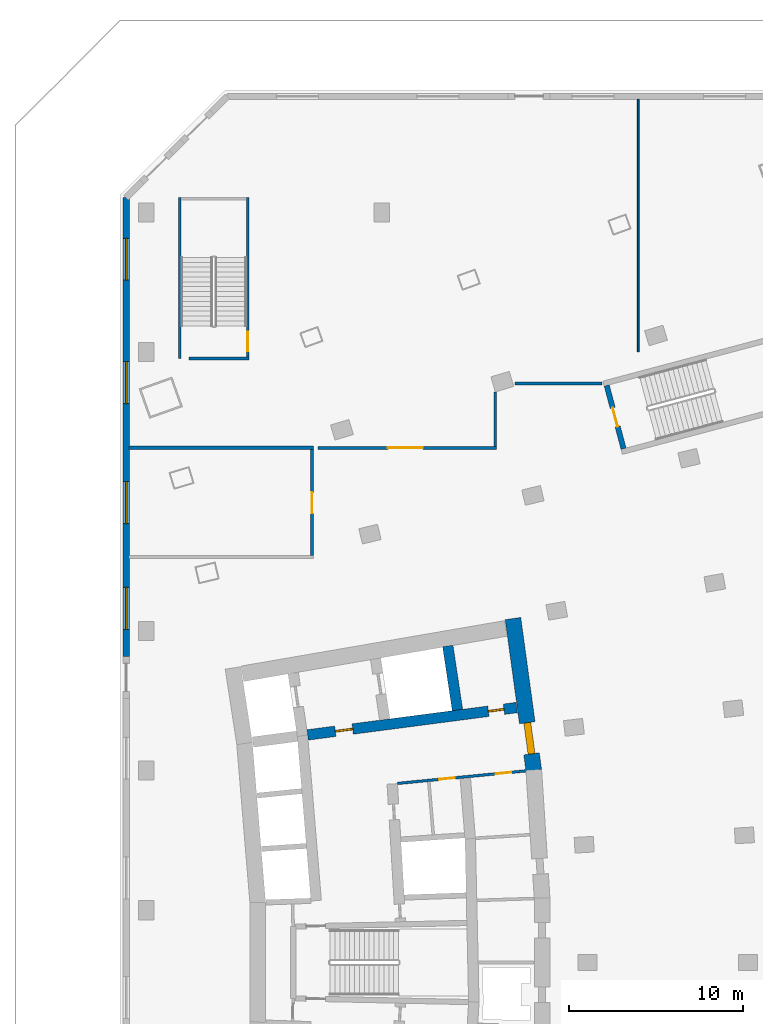
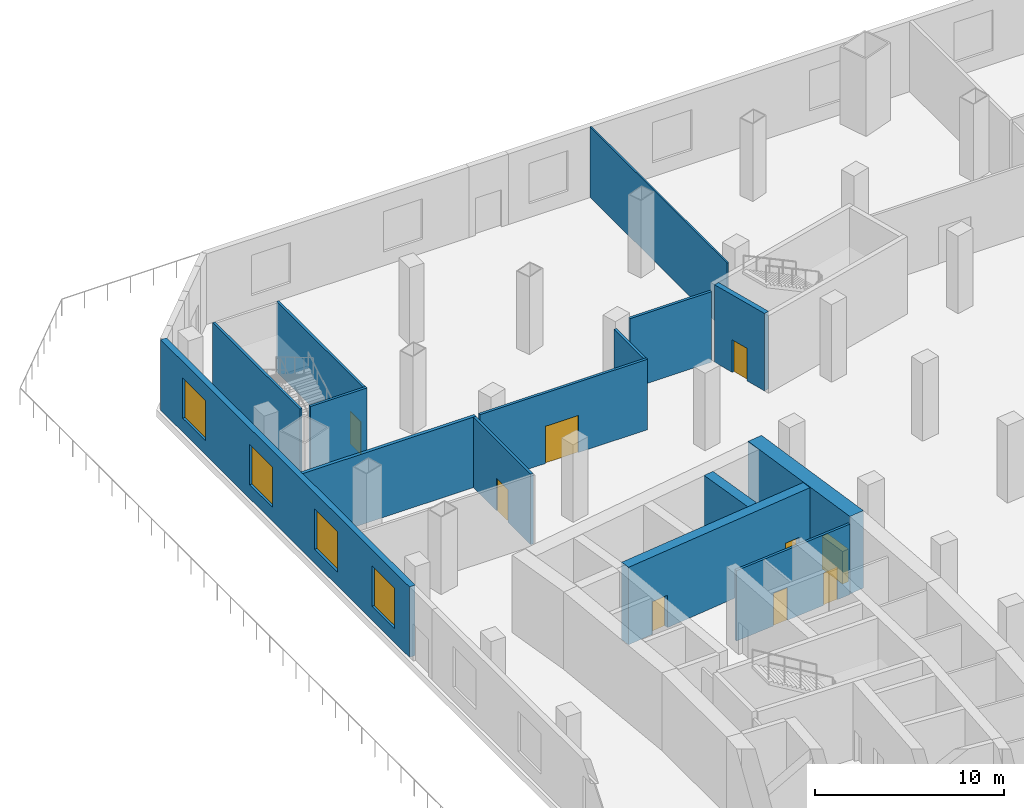
# One storey, part 7 of 15: 15 walls, 9 doors, 4 windows, 13 openings.
"""IFC4 building model written with IfcOpenShell, lengths in metres."""

from ifc_helpers import new_model, si_unit, direction, frame, frame_2d, origin, place, context, subcontext, project, spatial, rectangle, extrude, material, layer, layer_set, type_object, element, fill, save


model = new_model("IFC4")

# Units and contexts
model_context = context("Model", 3, precision=1e-05, world=origin(), true_north=direction((0.0, 1.0)))
body_context = subcontext(model_context, "Body", "Model", "MODEL_VIEW")
ifc_project = project(units=[si_unit("LENGTHUNIT", "METRE"), si_unit("AREAUNIT", "SQUARE_METRE"), si_unit("VOLUMEUNIT", "CUBIC_METRE"), si_unit("PLANEANGLEUNIT", "RADIAN"), si_unit("MASSUNIT", "GRAM", prefix="KILO")], contexts=[model_context])

# Site, building, storey
site_placement = place(None, origin())
site = spatial("IfcSite", under=ifc_project, at=site_placement, CompositionType="ELEMENT")
building_placement = place(site_placement, origin())
building = spatial("IfcBuilding", under=site, at=building_placement, Name="Alderwake Tower", CompositionType="ELEMENT")
storey_placement = place(building_placement, frame((0.0, 0.0, 13.5)))
storey = spatial("IfcBuildingStorey", under=building, at=storey_placement, Name="L02", CompositionType="ELEMENT", Elevation=13.5)

# Wall, openings, doors
ifc_material_1 = material(Name="Gypsum shaft wall system, rated")
ifc_layer_1 = layer(ifc_material_1, 0.14990234375)
ifc_layer_set_1 = layer_set([ifc_layer_1], Name="Core room partition 150")
wall_type_1 = type_object("IfcWallType", Name="Core room partition 150", PredefinedType="PARTITIONING", material=ifc_layer_set_1)
wall_1_placement = place(storey_placement, frame((32.233642578125, 71.982177734375, 0.0), z_axis=(0.0, 0.0, 1.0), x_axis=(-0.995245540971, -0.097397706226, 0.0)))
wall_1 = element("IfcWall", 1, at=wall_1_placement, inside=storey, type_object=wall_type_1, Name="CW/L02/PR+102_+86", PredefinedType="PARTITIONING", context=body_context, shape_type="SweptSolid", body=[
    extrude(rectangle(XDim=7.36962890625, YDim=0.14990234375, at=frame_2d((3.684814453125, 0.0))), origin(), (0.0, 0.0, 1.0), 4.550048828125),
])
opening_1_placement = place(wall_1_placement, frame((4.069580078125, 0.0, 0.0)))
opening_1 = element("IfcOpeningElement", 2, at=opening_1_placement, cuts=wall_1, Name="Opening C022", PredefinedType="OPENING", context=body_context, shape_type="SweptSolid", body=[
    extrude(rectangle(XDim=0.89990234375, YDim=2.10009765625, at=frame_2d((0.449951171875, 1.050048828125))), frame((0.0, 0.0849609375, 0.0), z_axis=(0.0, -1.0, 0.0), x_axis=(1.0, 0.0, 0.0)), (0.0, 0.0, 1.0), 0.169921875),
])
opening_2_placement = place(wall_1_placement, frame((0.819580078125, 0.0, 0.0)))
opening_2 = element("IfcOpeningElement", 3, at=opening_2_placement, cuts=wall_1, Name="Opening C036", PredefinedType="OPENING", context=body_context, shape_type="SweptSolid", body=[
    extrude(rectangle(XDim=0.89990234375, YDim=2.10009765625, at=frame_2d((0.449951171875, 1.050048828125))), frame((0.0, 0.0849609375, 0.0), z_axis=(0.0, -1.0, 0.0), x_axis=(1.0, 0.0, 0.0)), (0.0, 0.0, 1.0), 0.169921875),
])
ifc_material_2 = material(Name="Painted steel leaf", Category="steel")
door_type_1 = type_object("IfcDoorType", Name="Core room door 900", OperationType="SINGLE_SWING_LEFT", PredefinedType="DOOR", material=ifc_material_2)
door_1_placement = place(opening_1_placement, origin())
door_1 = element("IfcDoor", 4, at=door_1_placement, inside=storey, type_object=door_type_1, Name="Room door", OperationType="SINGLE_SWING_RIGHT", OverallHeight=2.10009765625, OverallWidth=0.89990234375, PredefinedType="DOOR", context=body_context, shape_type="SweptSolid", body=[
    extrude(rectangle(XDim=0.89990234375, YDim=2.10009765625, at=frame_2d((0.449951171875, 1.050048828125))), frame((0.0, 0.02490234375, 0.0), z_axis=(0.0, -1.0, 0.0), x_axis=(1.0, 0.0, 0.0)), (0.0, 0.0, 1.0), 0.050048828125),
])
fill(opening_1, door_1)
door_2_placement = place(opening_2_placement, origin())
door_2 = element("IfcDoor", 5, at=door_2_placement, inside=storey, type_object=door_type_1, Name="Room door", OperationType="SINGLE_SWING_LEFT", OverallHeight=2.10009765625, OverallWidth=0.89990234375, PredefinedType="DOOR", context=body_context, shape_type="SweptSolid", body=[
    extrude(rectangle(XDim=0.89990234375, YDim=2.10009765625, at=frame_2d((0.449951171875, 1.050048828125))), frame((0.0, 0.02490234375, 0.0), z_axis=(0.0, -1.0, 0.0), x_axis=(1.0, 0.0, 0.0)), (0.0, 0.0, 1.0), 0.050048828125),
])
fill(opening_2, door_2)

# Wall, opening, door
ifc_material_3 = material(Name="Concrete C70/85", Category="concrete")
ifc_layer_2 = layer(ifc_material_3, 0.89990234375)
ifc_layer_set_2 = layer_set([ifc_layer_2], Name="Core wall outer 900 C70-85")
wall_type_2 = type_object("IfcWallType", Name="Core wall outer 900 C70-85", PredefinedType="SHEAR", material=ifc_layer_set_2)
wall_2_placement = place(storey_placement, frame((31.520263671875, 80.7177734375, 0.0), z_axis=(0.0, 0.0, 1.0), x_axis=(0.135844728876, -0.990730139663, 0.0)))
wall_2 = element("IfcWall", 6, at=wall_2_placement, inside=storey, type_object=wall_type_2, Name="Core wall CW.009", PredefinedType="SHEAR", context=body_context, shape_type="SweptSolid", body=[
    extrude(rectangle(XDim=8.78662109375, YDim=0.89990234375, at=frame_2d((4.393310546875, 0.0))), origin(), (0.0, 0.0, 1.0), 5.0),
])
opening_3_placement = place(wall_2_placement, frame((6.02978515625, 0.0, 0.0)))
opening_3 = element("IfcOpeningElement", 7, at=opening_3_placement, cuts=wall_2, Name="Opening C001", PredefinedType="OPENING", context=body_context, shape_type="SweptSolid", body=[
    extrude(rectangle(XDim=1.800048828125, YDim=2.10009765625, at=frame_2d((0.89990234375, 1.050048828125))), frame((0.0, 0.4599609375, 0.0), z_axis=(0.0, -1.0, 0.0), x_axis=(1.0, 0.0, 0.0)), (0.0, 0.0, 1.0), 0.919921875),
])
ifc_material_4 = material(Name="Steel-framed fire door leaves", Category="steel")
door_type_2 = type_object("IfcDoorType", Name="Core double door 1800 fire-rated", OperationType="DOUBLE_DOOR_SINGLE_SWING", PredefinedType="DOOR", material=ifc_material_4)
door_3_placement = place(opening_3_placement, origin())
door_3 = element("IfcDoor", 8, at=door_3_placement, inside=storey, type_object=door_type_2, Name="Lobby double door", OperationType="DOUBLE_DOOR_SINGLE_SWING", OverallHeight=2.10009765625, OverallWidth=1.800048828125, PredefinedType="DOOR", context=body_context, shape_type="SweptSolid", body=[
    extrude(rectangle(XDim=1.800048828125, YDim=2.10009765625, at=frame_2d((0.89990234375, 1.050048828125))), frame((0.0, 0.199951171875, 0.0), z_axis=(0.0, -1.0, 0.0), x_axis=(1.0, 0.0, 0.0)), (0.0, 0.0, 1.0), 0.39990234375),
])
fill(opening_3, door_3)

# Wall
ifc_material_5 = material(Name="Concrete C70/85", Category="concrete")
ifc_layer_3 = layer(ifc_material_5, 0.60009765625)
ifc_layer_set_3 = layer_set([ifc_layer_3], Name="Core wall spine 600 C70-85")
wall_type_3 = type_object("IfcWallType", Name="Core wall spine 600 C70-85", PredefinedType="SHEAR", material=ifc_layer_set_3)
wall_3_placement = place(storey_placement, frame((28.337646484375, 75.472412109375, 0.0), z_axis=(0.0, 0.0, 1.0), x_axis=(-0.149224787751, 0.988803298296, 0.0)))
element("IfcWall", 9, at=wall_3_placement, inside=storey, type_object=wall_type_3, Name="Core wall CW.001", PredefinedType="SHEAR", context=body_context, shape_type="SweptSolid", body=[
    extrude(rectangle(XDim=3.712158203125, YDim=0.60009765625, at=frame_2d((1.85595703125, 0.0))), origin(), (0.0, 0.0, 1.0), 5.0),
])

# Wall, openings, doors
wall_4_placement = place(storey_placement, frame((31.735595703125, 75.6142578125, 0.0), z_axis=(0.0, 0.0, 1.0), x_axis=(-0.991553829991, -0.129695806526, 0.0)))
wall_4 = element("IfcWall", 10, at=wall_4_placement, inside=storey, type_object=wall_type_3, Name="Core wall CW.052", PredefinedType="SHEAR", context=body_context, shape_type="SweptSolid", body=[
    extrude(rectangle(XDim=12.0869140625, YDim=0.60009765625, at=frame_2d((6.04345703125, 0.0))), origin(), (0.0, 0.0, 1.0), 5.0),
])
opening_4_placement = place(wall_4_placement, frame((9.4873046875, 0.0, 0.0)))
opening_4 = element("IfcOpeningElement", 11, at=opening_4_placement, cuts=wall_4, Name="Opening C002", PredefinedType="OPENING", context=body_context, shape_type="SweptSolid", body=[
    extrude(rectangle(XDim=1.0, YDim=2.10009765625, at=frame_2d((0.5, 1.050048828125))), frame((0.0, 0.31005859375, 0.0), z_axis=(0.0, -1.0, 0.0), x_axis=(1.0, 0.0, 0.0)), (0.0, 0.0, 1.0), 0.6201171875),
])
opening_5_placement = place(wall_4_placement, frame((0.7373046875, 0.0, 0.0)))
opening_5 = element("IfcOpeningElement", 12, at=opening_5_placement, cuts=wall_4, Name="Opening C020", PredefinedType="OPENING", context=body_context, shape_type="SweptSolid", body=[
    extrude(rectangle(XDim=0.89990234375, YDim=2.10009765625, at=frame_2d((0.449951171875, 1.050048828125))), frame((0.0, 0.31005859375, 0.0), z_axis=(0.0, -1.0, 0.0), x_axis=(1.0, 0.0, 0.0)), (0.0, 0.0, 1.0), 0.6201171875),
])
door_4_placement = place(opening_5_placement, origin())
door_4 = element("IfcDoor", 13, at=door_4_placement, inside=storey, type_object=door_type_1, Name="Room door", OperationType="SINGLE_SWING_LEFT", OverallHeight=2.10009765625, OverallWidth=0.89990234375, PredefinedType="DOOR", context=body_context, shape_type="SweptSolid", body=[
    extrude(rectangle(XDim=0.89990234375, YDim=2.10009765625, at=frame_2d((0.449951171875, 1.050048828125))), frame((0.0, 0.050048828125, 0.0), z_axis=(0.0, -1.0, 0.0), x_axis=(1.0, 0.0, 0.0)), (0.0, 0.0, 1.0), 0.10009765625),
])
fill(opening_5, door_4)
ifc_material_6 = material(Name="Steel-framed fire door leaf", Category="steel")
door_type_3 = type_object("IfcDoorType", Name="Firefighting lobby door 1000 fire-rated", OperationType="SINGLE_SWING_LEFT", PredefinedType="DOOR", material=ifc_material_6)
door_5_placement = place(opening_4_placement, origin())
door_5 = element("IfcDoor", 14, at=door_5_placement, inside=storey, type_object=door_type_3, Name="Firefighting lobby door", OperationType="SINGLE_SWING_RIGHT", OverallHeight=2.10009765625, OverallWidth=1.0, PredefinedType="DOOR", context=body_context, shape_type="SweptSolid", body=[
    extrude(rectangle(XDim=1.0, YDim=2.10009765625, at=frame_2d((0.5, 1.050048828125))), frame((0.0, 0.050048828125, 0.0), z_axis=(0.0, -1.0, 0.0), x_axis=(1.0, 0.0, 0.0)), (0.0, 0.0, 1.0), 0.10009765625),
])
fill(opening_4, door_5)

# Wall, opening, door
ifc_material_7 = material(Name="Concrete C70/85", Category="concrete")
ifc_layer_4 = layer(ifc_material_7, 0.300048828125)
ifc_layer_set_4 = layer_set([ifc_layer_4], Name="Core wall stair enclosure 300 C70-85")
wall_type_4 = type_object("IfcWallType", Name="Core wall stair enclosure 300 C70-85", PredefinedType="SHEAR", material=ifc_layer_set_4)
wall_5_placement = place(storey_placement, frame((37.8603515625, 90.452392578125, 0.0), z_axis=(0.0, 0.0, 1.0), x_axis=(-0.257411420208, 0.966301899381, 0.0)))
wall_5 = element("IfcWall", 15, at=wall_5_placement, inside=storey, type_object=wall_type_4, Name="Core wall CW.083", PredefinedType="SHEAR", context=body_context, shape_type="SweptSolid", body=[
    extrude(rectangle(XDim=3.750244140625, YDim=0.300048828125, at=frame_2d((1.875, 0.0))), origin(), (0.0, 0.0, 1.0), 5.0),
])
opening_6_placement = place(wall_5_placement, frame((1.324951171875, 0.0, 0.0)))
opening_6 = element("IfcOpeningElement", 16, at=opening_6_placement, cuts=wall_5, Name="Opening C062", PredefinedType="OPENING", context=body_context, shape_type="SweptSolid", body=[
    extrude(rectangle(XDim=1.10009765625, YDim=2.10009765625, at=frame_2d((0.550048828125, 1.050048828125))), frame((0.0, 0.159912109375, 0.0), z_axis=(0.0, -1.0, 0.0), x_axis=(1.0, 0.0, 0.0)), (0.0, 0.0, 1.0), 0.320068359375),
])
ifc_material_8 = material(Name="Steel-framed fire door leaf", Category="steel")
door_type_4 = type_object("IfcDoorType", Name="Core stair door 1100 fire-rated", OperationType="SINGLE_SWING_LEFT", PredefinedType="DOOR", material=ifc_material_8)
door_6_placement = place(opening_6_placement, origin())
door_6 = element("IfcDoor", 17, at=door_6_placement, inside=storey, type_object=door_type_4, Name="Stair door", OperationType="SINGLE_SWING_RIGHT", OverallHeight=2.10009765625, OverallWidth=1.10009765625, PredefinedType="DOOR", context=body_context, shape_type="SweptSolid", body=[
    extrude(rectangle(XDim=1.10009765625, YDim=2.10009765625, at=frame_2d((0.550048828125, 1.050048828125))), frame((0.0, 0.02490234375, 0.0), z_axis=(0.0, -1.0, 0.0), x_axis=(1.0, 0.0, 0.0)), (0.0, 0.0, 1.0), 0.050048828125),
])
fill(opening_6, door_6)

ifc_material_9 = material(Name="Gypsum board on metal studs, rated")
ifc_layer_5 = layer(ifc_material_9, 0.159912109375)
ifc_layer_set_5 = layer_set([ifc_layer_5], Name="Corridor wall 160")
wall_type_5 = type_object("IfcWallType", Name="Corridor wall 160", PredefinedType="PARTITIONING", material=ifc_layer_set_5)
wall_6_placement = place(storey_placement, frame((20.0009765625, 90.40087890625, 0.0), z_axis=(0.0, 0.0, 1.0), x_axis=(0.0, -1.0, 0.0)))
wall_6 = element("IfcWall", 18, at=wall_6_placement, inside=storey, type_object=wall_type_5, Name="WL/L02/W25", PredefinedType="PARTITIONING", context=body_context, shape_type="SweptSolid", body=[
    extrude(rectangle(XDim=6.07177734375, YDim=0.159912109375, at=frame_2d((3.035888671875, 0.0))), origin(), (0.0, 0.0, 1.0), 4.550048828125),
])
opening_7_placement = place(wall_6_placement, frame((2.450927734375, 0.0, 0.0)))
opening_7 = element("IfcOpeningElement", 19, at=opening_7_placement, cuts=wall_6, Name="Opening L02-15", PredefinedType="OPENING", context=body_context, shape_type="SweptSolid", body=[
    extrude(rectangle(XDim=1.199951171875, YDim=2.10009765625, at=frame_2d((0.60009765625, 1.050048828125))), frame((0.0, 0.08984375, 0.0), z_axis=(0.0, -1.0, 0.0), x_axis=(1.0, 0.0, 0.0)), (0.0, 0.0, 1.0), 0.179931640625),
])
ifc_material_10 = material(Name="Steel door leaf in steel frame", Category="steel")
door_type_5 = type_object("IfcDoorType", Name="Plant room door 1200 steel", OperationType="SINGLE_SWING_LEFT", PredefinedType="DOOR", material=ifc_material_10)
door_7_placement = place(opening_7_placement, origin())
door_7 = element("IfcDoor", 20, at=door_7_placement, inside=storey, type_object=door_type_5, Name="DR/L02/15", OperationType="SINGLE_SWING_LEFT", OverallHeight=2.10009765625, OverallWidth=1.199951171875, PredefinedType="DOOR", context=body_context, shape_type="SweptSolid", body=[
    extrude(rectangle(XDim=1.199951171875, YDim=2.10009765625, at=frame_2d((0.60009765625, 1.050048828125))), frame((0.0, 0.02490234375, 0.0), z_axis=(0.0, -1.0, 0.0), x_axis=(1.0, 0.0, 0.0)), (0.0, 0.0, 1.0), 0.050048828125),
])
fill(opening_7, door_7)

wall_7_placement = place(storey_placement, frame((30.5810546875, 90.5009765625, 0.0), z_axis=(0.0, 0.0, 1.0), x_axis=(-1.0, 0.0, 0.0)))
wall_7 = element("IfcWall", 21, at=wall_7_placement, inside=storey, type_object=wall_type_5, Name="WL/L02/W33", PredefinedType="PARTITIONING", context=body_context, shape_type="SweptSolid", body=[
    extrude(rectangle(XDim=10.246826171875, YDim=0.159912109375, at=frame_2d((5.12353515625, 0.0))), origin(), (0.0, 0.0, 1.0), 4.550048828125),
])
opening_8_placement = place(wall_7_placement, frame((4.23095703125, 0.0, 0.0)))
opening_8 = element("IfcOpeningElement", 22, at=opening_8_placement, cuts=wall_7, Name="Opening L02-08", PredefinedType="OPENING", context=body_context, shape_type="SweptSolid", body=[
    extrude(rectangle(XDim=2.0, YDim=2.39990234375, at=frame_2d((1.0, 1.199951171875))), frame((0.0, 0.08984375, 0.0), z_axis=(0.0, -1.0, 0.0), x_axis=(1.0, 0.0, 0.0)), (0.0, 0.0, 1.0), 0.179931640625),
])
ifc_material_11 = material(Name="Timber leaves with glazed panels", Category="wood")
door_type_6 = type_object("IfcDoorType", Name="Hall double door 2000", OperationType="DOUBLE_DOOR_SINGLE_SWING", PredefinedType="DOOR", material=ifc_material_11)
door_8_placement = place(opening_8_placement, origin())
door_8 = element("IfcDoor", 23, at=door_8_placement, inside=storey, type_object=door_type_6, Name="DR/L02/08", OperationType="DOUBLE_DOOR_SINGLE_SWING", OverallHeight=2.39990234375, OverallWidth=2.0, PredefinedType="DOOR", context=body_context, shape_type="SweptSolid", body=[
    extrude(rectangle(XDim=2.0, YDim=2.39990234375, at=frame_2d((1.0, 1.199951171875))), frame((0.0, 0.02490234375, 0.0), z_axis=(0.0, -1.0, 0.0), x_axis=(1.0, 0.0, 0.0)), (0.0, 0.0, 1.0), 0.050048828125),
])
fill(opening_8, door_8)

# Walls
wall_8_placement = place(storey_placement, frame((30.5009765625, 93.707275390625, 0.0), z_axis=(0.0, 0.0, 1.0), x_axis=(0.0, -1.0, 0.0)))
element("IfcWall", 24, at=wall_8_placement, inside=storey, type_object=wall_type_5, Name="WL/L02/W34", PredefinedType="PARTITIONING", context=body_context, shape_type="SweptSolid", body=[
    extrude(rectangle(XDim=3.126220703125, YDim=0.159912109375, at=frame_2d((1.56298828125, 0.0))), origin(), (0.0, 0.0, 1.0), 4.550048828125),
])
wall_9_placement = place(storey_placement, frame((36.624755859375, 94.199951171875, 0.0), z_axis=(0.0, 0.0, 1.0), x_axis=(-1.0, 0.0, 0.0)))
element("IfcWall", 25, at=wall_9_placement, inside=storey, type_object=wall_type_5, Name="WL/L02/W36", PredefinedType="PARTITIONING", context=body_context, shape_type="SweptSolid", body=[
    extrude(rectangle(XDim=4.98876953125, YDim=0.159912109375, at=frame_2d((2.494384765625, 0.0))), origin(), (0.0, 0.0, 1.0), 4.550048828125),
])

# Wall, openings, windows
ifc_material_12 = material(Name="Precast concrete C50/60 spandrel panel", Category="concrete")
ifc_layer_6 = layer(ifc_material_12, 0.35009765625)
ifc_layer_set_6 = layer_set([ifc_layer_6], Name="External wall EW4 Precast concrete C50/60 podium")
wall_type_6 = type_object("IfcWallType", Name="External wall EW4 Precast concrete C50/60 podium", PredefinedType="SOLIDWALL", material=ifc_layer_set_6)
wall_10_placement = place(storey_placement, frame((9.35009765625, 104.85498046875, 0.0), z_axis=(0.0, 0.0, 1.0), x_axis=(0.0, -1.0, 0.0)))
wall_10 = element("IfcWall", 26, at=wall_10_placement, inside=storey, type_object=wall_type_6, Name="External wall 27", PredefinedType="SOLIDWALL", context=body_context, shape_type="SweptSolid", body=[
    extrude(rectangle(XDim=26.3173828125, YDim=0.35009765625, at=frame_2d((13.15869140625, 0.0))), origin(), (0.0, 0.0, 1.0), 4.550048828125),
])
opening_9_placement = place(wall_10_placement, frame((2.33837890625, 0.0, 0.89990234375)))
opening_9 = element("IfcOpeningElement", 27, at=opening_9_placement, cuts=wall_10, Name="Opening W6", PredefinedType="OPENING", context=body_context, shape_type="SweptSolid", body=[
    extrude(rectangle(XDim=2.39990234375, YDim=2.60009765625, at=frame_2d((1.199951171875, 1.300048828125))), frame((0.0, 0.18505859375, 0.0), z_axis=(0.0, -1.0, 0.0), x_axis=(1.0, 0.0, 0.0)), (0.0, 0.0, 1.0), 0.3701171875),
])
opening_10_placement = place(wall_10_placement, frame((9.41552734375, 0.0, 0.89990234375)))
opening_10 = element("IfcOpeningElement", 28, at=opening_10_placement, cuts=wall_10, Name="Opening W6", PredefinedType="OPENING", context=body_context, shape_type="SweptSolid", body=[
    extrude(rectangle(XDim=2.39990234375, YDim=2.60009765625, at=frame_2d((1.199951171875, 1.300048828125))), frame((0.0, 0.18505859375, 0.0), z_axis=(0.0, -1.0, 0.0), x_axis=(1.0, 0.0, 0.0)), (0.0, 0.0, 1.0), 0.3701171875),
])
opening_11_placement = place(wall_10_placement, frame((16.2900390625, 0.0, 0.89990234375)))
opening_11 = element("IfcOpeningElement", 29, at=opening_11_placement, cuts=wall_10, Name="Opening W6", PredefinedType="OPENING", context=body_context, shape_type="SweptSolid", body=[
    extrude(rectangle(XDim=2.39990234375, YDim=2.60009765625, at=frame_2d((1.199951171875, 1.300048828125))), frame((0.0, 0.18505859375, 0.0), z_axis=(0.0, -1.0, 0.0), x_axis=(1.0, 0.0, 0.0)), (0.0, 0.0, 1.0), 0.3701171875),
])
opening_12_placement = place(wall_10_placement, frame((22.351806640625, 0.0, 0.89990234375)))
opening_12 = element("IfcOpeningElement", 30, at=opening_12_placement, cuts=wall_10, Name="Opening W6", PredefinedType="OPENING", context=body_context, shape_type="SweptSolid", body=[
    extrude(rectangle(XDim=2.39990234375, YDim=2.60009765625, at=frame_2d((1.199951171875, 1.300048828125))), frame((0.0, 0.18505859375, 0.0), z_axis=(0.0, -1.0, 0.0), x_axis=(1.0, 0.0, 0.0)), (0.0, 0.0, 1.0), 0.3701171875),
])
ifc_material_13 = material(Name="Bronze tinted glass in aluminium frame", Category="aluminium")
window_type = type_object("IfcWindowType", Name="Window W6 podium", PartitioningType="DOUBLE_PANEL_VERTICAL", PredefinedType="WINDOW", material=ifc_material_13)
window_1_placement = place(opening_9_placement, origin())
window_1 = element("IfcWindow", 31, at=window_1_placement, inside=storey, type_object=window_type, Name="Window W6 podium", OverallHeight=2.60009765625, OverallWidth=2.39990234375, PartitioningType="DOUBLE_PANEL_VERTICAL", PredefinedType="WINDOW", context=body_context, shape_type="SweptSolid", body=[
    extrude(rectangle(XDim=2.39990234375, YDim=2.60009765625, at=frame_2d((1.199951171875, 1.300048828125))), frame((0.0, 0.030029296875, 0.0), z_axis=(0.0, -1.0, 0.0), x_axis=(1.0, 0.0, 0.0)), (0.0, 0.0, 1.0), 0.06005859375),
])
fill(opening_9, window_1)
window_2_placement = place(opening_10_placement, origin())
window_2 = element("IfcWindow", 32, at=window_2_placement, inside=storey, type_object=window_type, Name="Window W6 podium", OverallHeight=2.60009765625, OverallWidth=2.39990234375, PartitioningType="DOUBLE_PANEL_VERTICAL", PredefinedType="WINDOW", context=body_context, shape_type="SweptSolid", body=[
    extrude(rectangle(XDim=2.39990234375, YDim=2.60009765625, at=frame_2d((1.199951171875, 1.300048828125))), frame((0.0, 0.030029296875, 0.0), z_axis=(0.0, -1.0, 0.0), x_axis=(1.0, 0.0, 0.0)), (0.0, 0.0, 1.0), 0.06005859375),
])
fill(opening_10, window_2)
window_3_placement = place(opening_11_placement, origin())
window_3 = element("IfcWindow", 33, at=window_3_placement, inside=storey, type_object=window_type, Name="Window W6 podium", OverallHeight=2.60009765625, OverallWidth=2.39990234375, PartitioningType="DOUBLE_PANEL_VERTICAL", PredefinedType="WINDOW", context=body_context, shape_type="SweptSolid", body=[
    extrude(rectangle(XDim=2.39990234375, YDim=2.60009765625, at=frame_2d((1.199951171875, 1.300048828125))), frame((0.0, 0.030029296875, 0.0), z_axis=(0.0, -1.0, 0.0), x_axis=(1.0, 0.0, 0.0)), (0.0, 0.0, 1.0), 0.06005859375),
])
fill(opening_11, window_3)
window_4_placement = place(opening_12_placement, origin())
window_4 = element("IfcWindow", 34, at=window_4_placement, inside=storey, type_object=window_type, Name="Window W6 podium", OverallHeight=2.60009765625, OverallWidth=2.39990234375, PartitioningType="DOUBLE_PANEL_VERTICAL", PredefinedType="WINDOW", context=body_context, shape_type="SweptSolid", body=[
    extrude(rectangle(XDim=2.39990234375, YDim=2.60009765625, at=frame_2d((1.199951171875, 1.300048828125))), frame((0.0, 0.030029296875, 0.0), z_axis=(0.0, -1.0, 0.0), x_axis=(1.0, 0.0, 0.0)), (0.0, 0.0, 1.0), 0.06005859375),
])
fill(opening_12, window_4)

# Walls
ifc_material_14 = material(Name="Dense block masonry wall", Category="masonry")
ifc_layer_7 = layer(ifc_material_14, 0.199951171875)
ifc_layer_set_7 = layer_set([ifc_layer_7], Name="Party wall 200")
wall_type_7 = type_object("IfcWallType", Name="Party wall 200", PredefinedType="SOLIDWALL", material=ifc_layer_set_7)
wall_11_placement = place(storey_placement, frame((9.5009765625, 90.5009765625, 0.0), z_axis=(0.0, 0.0, 1.0), x_axis=(1.0, 0.0, 0.0)))
element("IfcWall", 35, at=wall_11_placement, inside=storey, type_object=wall_type_7, Name="WL/L02/W01", PredefinedType="SOLIDWALL", context=body_context, shape_type="SweptSolid", body=[
    extrude(rectangle(XDim=10.580078125, YDim=0.199951171875, at=frame_2d((5.2900390625, 0.0))), origin(), (0.0, 0.0, 1.0), 4.550048828125),
])
ifc_material_15 = material(Name="Gypsum shaft wall system, rated")
ifc_layer_8 = layer(ifc_material_15, 0.14990234375)
ifc_layer_set_8 = layer_set([ifc_layer_8], Name="Riser and shaft wall 150")
wall_type_8 = type_object("IfcWallType", Name="Riser and shaft wall 150", PredefinedType="PARTITIONING", material=ifc_layer_set_8)
wall_12_placement = place(storey_placement, frame((12.947998046875, 95.625, 0.0), z_axis=(0.0, 0.0, 1.0), x_axis=(1.0, 0.0, 0.0)))
element("IfcWall", 36, at=wall_12_placement, inside=storey, type_object=wall_type_8, Name="WL/L02/W07", PredefinedType="PARTITIONING", context=body_context, shape_type="SweptSolid", body=[
    extrude(rectangle(XDim=3.452880859375, YDim=0.14990234375, at=frame_2d((1.7265625, 0.0))), origin(), (0.0, 0.0, 1.0), 4.550048828125),
])
ifc_material_16 = material(Name="Concrete C40/50", Category="concrete")
ifc_layer_9 = layer(ifc_material_16, 0.14990234375)
ifc_layer_set_9 = layer_set([ifc_layer_9], Name="Stair shaft wall 150 C40/50")
wall_type_9 = type_object("IfcWallType", Name="Stair shaft wall 150 C40/50", PredefinedType="SHEAR", material=ifc_layer_set_9)
wall_13_placement = place(storey_placement, frame((12.426025390625, 104.85009765625, 0.0), z_axis=(0.0, 0.0, 1.0), x_axis=(0.0, -1.0, 0.0)))
element("IfcWall", 37, at=wall_13_placement, inside=storey, type_object=wall_type_9, Name="WL/L02/W06", PredefinedType="SHEAR", context=body_context, shape_type="SweptSolid", body=[
    extrude(rectangle(XDim=9.216064453125, YDim=0.14990234375, at=frame_2d((4.60791015625, 0.0))), origin(), (0.0, 0.0, 1.0), 4.550048828125),
])

# Wall, opening, door
wall_14_placement = place(storey_placement, frame((16.325927734375, 95.699951171875, 0.0), z_axis=(0.0, 0.0, 1.0), x_axis=(0.0, 1.0, 0.0)))
wall_14 = element("IfcWall", 38, at=wall_14_placement, inside=storey, type_object=wall_type_9, Name="WL/L02/W10", PredefinedType="SHEAR", context=body_context, shape_type="SweptSolid", body=[
    extrude(rectangle(XDim=9.150146484375, YDim=0.14990234375, at=frame_2d((4.5751953125, 0.0))), origin(), (0.0, 0.0, 1.0), 4.550048828125),
])
opening_13_placement = place(wall_14_placement, frame((0.35009765625, 0.0, 0.0)))
opening_13 = element("IfcOpeningElement", 39, at=opening_13_placement, cuts=wall_14, Name="Opening L02-17", PredefinedType="OPENING", context=body_context, shape_type="SweptSolid", body=[
    extrude(rectangle(XDim=1.10009765625, YDim=2.10009765625, at=frame_2d((0.550048828125, 1.050048828125))), frame((0.0, 0.0849609375, 0.0), z_axis=(0.0, -1.0, 0.0), x_axis=(1.0, 0.0, 0.0)), (0.0, 0.0, 1.0), 0.169921875),
])
ifc_material_17 = material(Name="Steel-framed fire door leaf", Category="steel")
door_type_7 = type_object("IfcDoorType", Name="Stair door 1100 fire-rated", OperationType="SINGLE_SWING_LEFT", PredefinedType="DOOR", material=ifc_material_17)
door_9_placement = place(opening_13_placement, origin())
door_9 = element("IfcDoor", 40, at=door_9_placement, inside=storey, type_object=door_type_7, Name="DR/L02/17", OperationType="SINGLE_SWING_LEFT", OverallHeight=2.10009765625, OverallWidth=1.10009765625, PredefinedType="DOOR", context=body_context, shape_type="SweptSolid", body=[
    extrude(rectangle(XDim=1.10009765625, YDim=2.10009765625, at=frame_2d((0.550048828125, 1.050048828125))), frame((0.0, 0.02490234375, 0.0), z_axis=(0.0, -1.0, 0.0), x_axis=(1.0, 0.0, 0.0)), (0.0, 0.0, 1.0), 0.050048828125),
])
fill(opening_13, door_9)

# Wall
ifc_material_18 = material(Name="Gypsum board on metal studs")
ifc_layer_10 = layer(ifc_material_18, 0.10009765625)
ifc_layer_set_10 = layer_set([ifc_layer_10], Name="Unit partition 100")
wall_type_10 = type_object("IfcWallType", Name="Unit partition 100", PredefinedType="PARTITIONING", material=ifc_layer_set_10)
wall_15_placement = place(storey_placement, frame((38.699951171875, 110.4990234375, 0.0), z_axis=(0.0, 0.0, 1.0), x_axis=(0.0, -1.0, 0.0)))
element("IfcWall", 41, at=wall_15_placement, inside=storey, type_object=wall_type_10, Name="WL/L02/W63", PredefinedType="PARTITIONING", context=body_context, shape_type="SweptSolid", body=[
    extrude(rectangle(XDim=14.4990234375, YDim=0.10009765625, at=frame_2d((7.24951171875, 0.0))), origin(), (0.0, 0.0, 1.0), 4.550048828125),
])

save(model, "model.ifc")
